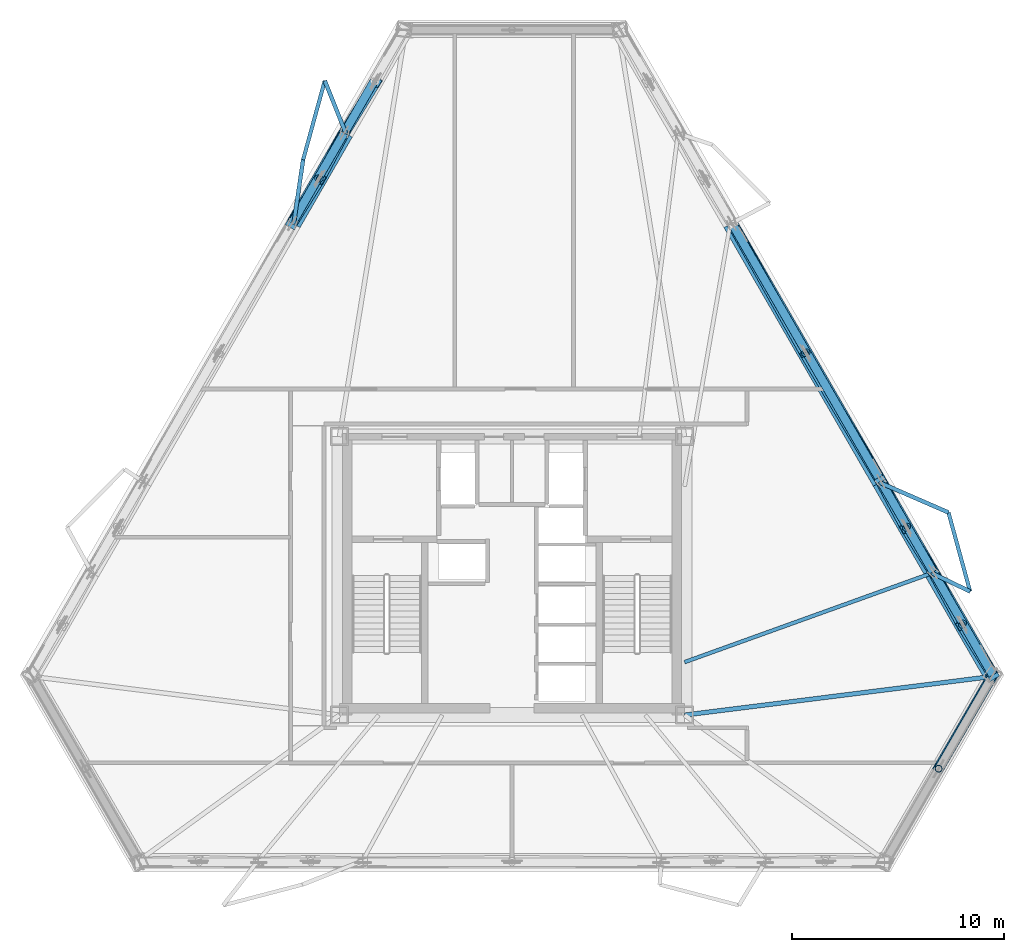
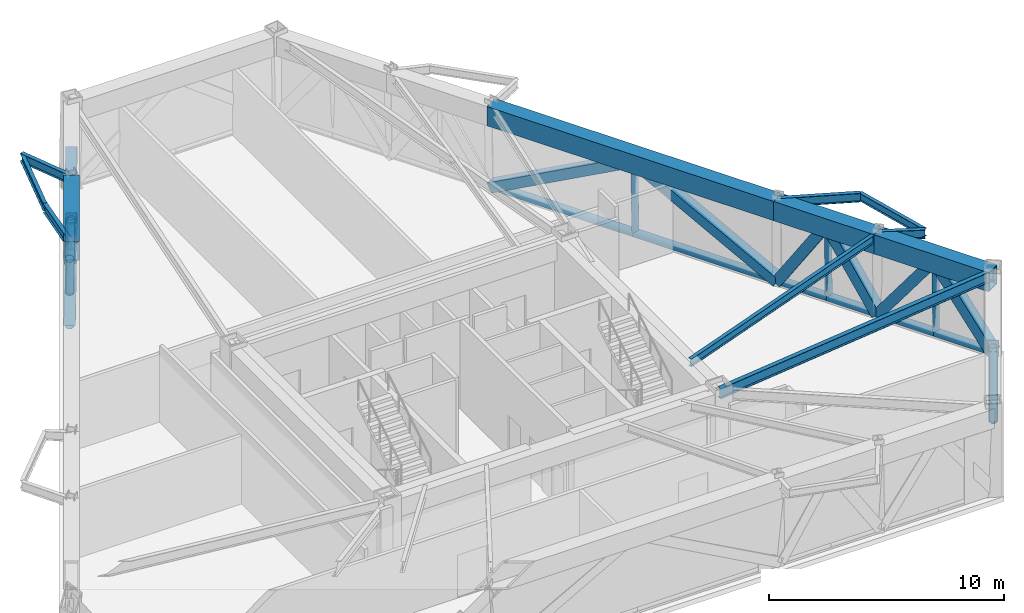
# One storey, part 4 of 11: 25 members, 12 beams.
"""IFC4 building model written with IfcOpenShell, lengths in metres."""

from ifc_helpers import new_model, si_unit, direction, frame, origin, origin_2d, place, context, subcontext, project, spatial, hollow_rectangle, hollow_circle, i_section, extrude, material, material_profile, profile_set, type_object, element, save


model = new_model("IFC4")

# Units and contexts
model_context = context("Model", 3, precision=1e-05, world=origin(), true_north=direction((0.0, 1.0)))
body_context = subcontext(model_context, "Body", "Model", "MODEL_VIEW")
ifc_project = project(units=[si_unit("LENGTHUNIT", "METRE"), si_unit("AREAUNIT", "SQUARE_METRE"), si_unit("VOLUMEUNIT", "CUBIC_METRE"), si_unit("PLANEANGLEUNIT", "RADIAN"), si_unit("MASSUNIT", "GRAM", prefix="KILO")], contexts=[model_context])

# Site, building, storey
site_placement = place(None, origin())
site = spatial("IfcSite", under=ifc_project, at=site_placement, CompositionType="ELEMENT")
building_placement = place(site_placement, origin())
building = spatial("IfcBuilding", under=site, at=building_placement, Name="Oramaril Tower", CompositionType="ELEMENT")
storey_placement = place(building_placement, frame((0.0, 0.0, 133.800048828125)))
storey = spatial("IfcBuildingStorey", under=building, at=storey_placement, Name="L35", CompositionType="ELEMENT", Elevation=133.800048828125)

# Beams
ifc_material_1 = material(Name="Steel ASTM A572 Gr 50", Category="steel")
ifc_material_profile_1 = material_profile(ifc_material_1, i_section(OverallWidth=0.19091796875, OverallDepth=0.45703125, WebThickness=0.009033203125, FlangeThickness=0.014404296875, at=origin_2d()), Name="W18X50")
ifc_profile_set_1 = profile_set([ifc_material_profile_1], Name="Steel ASTM A572 Gr 50")
beam_type_1 = type_object("IfcBeamType", Name="BT-BB1", PredefinedType="BEAM", material=ifc_profile_set_1)
beam_1_placement = place(storey_placement, frame((57.33349609375, 17.706298828125, 4.33154296875), z_axis=(0.900865739978, -0.434097821388, 0.0), x_axis=(0.434097821388, 0.900865739978, 0.0)))
element("IfcBeam", 1, at=beam_1_placement, inside=storey, type_object=beam_type_1, Name="L35 Balcony Column-Framed Cantilever 03.1", PredefinedType="BEAM", context=body_context, shape_type="SweptSolid", body=[
    extrude(i_section(OverallWidth=0.19091796875, OverallDepth=0.45703125, WebThickness=0.009033203125, FlangeThickness=0.014404296875, at=origin_2d()), origin(), (0.0, 0.0, 1.0), 2.002685546875),
])
beam_2_placement = place(storey_placement, frame((54.864990234375, 21.981689453125, 4.33154296875), z_axis=(0.917119345016, -0.398612728093, 0.0), x_axis=(0.398612728093, 0.917119345016, 0.0)))
element("IfcBeam", 2, at=beam_2_placement, inside=storey, type_object=beam_type_1, Name="L35 Balcony Column-Framed Cantilever 03.2", PredefinedType="BEAM", context=body_context, shape_type="SweptSolid", body=[
    extrude(i_section(OverallWidth=0.19091796875, OverallDepth=0.45703125, WebThickness=0.009033203125, FlangeThickness=0.014404296875, at=origin_2d()), origin(), (0.0, 0.0, 1.0), 3.543212890625),
])
beam_3_placement = place(storey_placement, frame((29.656494140625, 38.47314453125, 4.33154296875), z_axis=(-0.372505591211, 0.928029948071, 0.0), x_axis=(-0.928029948071, -0.372505591211, 0.0)))
element("IfcBeam", 3, at=beam_3_placement, inside=storey, type_object=beam_type_1, Name="L35 Balcony Column-Framed Cantilever 05.1", PredefinedType="BEAM", context=body_context, shape_type="SweptSolid", body=[
    extrude(i_section(OverallWidth=0.19091796875, OverallDepth=0.45703125, WebThickness=0.009033203125, FlangeThickness=0.014404296875, at=origin_2d()), origin(), (0.0, 0.0, 1.0), 2.679931640625),
])
beam_4_placement = place(storey_placement, frame((27.18798828125, 34.197509765625, 4.33154296875), z_axis=(0.145939133753, 0.989293570807, 0.0), x_axis=(-0.989293570807, 0.145939133753, 0.0)))
element("IfcBeam", 4, at=beam_4_placement, inside=storey, type_object=beam_type_1, Name="L35 Balcony Column-Framed Cantilever 05.2", PredefinedType="BEAM", context=body_context, shape_type="SweptSolid", body=[
    extrude(i_section(OverallWidth=0.19091796875, OverallDepth=0.45703125, WebThickness=0.009033203125, FlangeThickness=0.014404296875, at=origin_2d()), origin(), (0.0, 0.0, 1.0), 3.06298828125),
])
ifc_material_2 = material(Name="Steel ASTM A572 Gr 50", Category="steel")
ifc_material_profile_2 = material_profile(ifc_material_2, hollow_rectangle(XDim=0.699951171875, YDim=1.0, WallThickness=0.06494140625, at=origin_2d()), Name="BOX1000X700X65")
ifc_profile_set_2 = profile_set([ifc_material_profile_2], Name="Steel ASTM A572 Gr 50")
beam_type_2 = type_object("IfcBeamType", Name="BT-BT1", PredefinedType="BEAM", material=ifc_profile_set_2)
beam_5_placement = place(storey_placement, frame((60.154541015625, 12.81982421875, 4.06005859375), z_axis=(-0.499978398512, 0.86603787505, 0.0), x_axis=(-0.86603787505, -0.499978398512, 0.0)))
element("IfcBeam", 5, at=beam_5_placement, inside=storey, type_object=beam_type_2, Name="L35 Perimeter Spandrel 08", PredefinedType="BEAM", context=body_context, shape_type="SweptSolid", body=[
    extrude(hollow_rectangle(XDim=0.699951171875, YDim=1.0, WallThickness=0.06494140625, at=origin_2d()), origin(), (0.0, 0.0, 1.0), 5.642333984375),
])
beam_6_placement = place(storey_placement, frame((57.33349609375, 17.706298828125, 4.06005859375), z_axis=(-0.500016396673, 0.866015936954, 0.0), x_axis=(-0.866015936954, -0.500016396673, 0.0)))
element("IfcBeam", 6, at=beam_6_placement, inside=storey, type_object=beam_type_2, Name="L35 Perimeter Spandrel 09", PredefinedType="BEAM", context=body_context, shape_type="SweptSolid", body=[
    extrude(hollow_rectangle(XDim=0.699951171875, YDim=1.0, WallThickness=0.06494140625, at=origin_2d()), origin(), (0.0, 0.0, 1.0), 4.936767578125),
])
beam_7_placement = place(storey_placement, frame((54.864990234375, 21.981689453125, 4.06005859375), z_axis=(-0.500009111705, 0.866020143075, 0.0), x_axis=(-0.866020143075, -0.500009111705, 0.0)))
element("IfcBeam", 7, at=beam_7_placement, inside=storey, type_object=beam_type_2, Name="L35 Perimeter Spandrel 10", PredefinedType="BEAM", context=body_context, shape_type="SweptSolid", body=[
    extrude(hollow_rectangle(XDim=0.699951171875, YDim=1.0, WallThickness=0.06494140625, at=origin_2d()), origin(), (0.0, 0.0, 1.0), 14.105712890625),
])
beam_8_placement = place(storey_placement, frame((29.656494140625, 38.47314453125, 4.06005859375), z_axis=(-0.499994983316, -0.866028300149, 0.0), x_axis=(0.866028300149, -0.499994983316, 0.0)))
element("IfcBeam", 8, at=beam_8_placement, inside=storey, type_object=beam_type_2, Name="L35 Perimeter Spandrel 15", PredefinedType="BEAM", context=body_context, shape_type="SweptSolid", body=[
    extrude(hollow_rectangle(XDim=0.699951171875, YDim=1.0, WallThickness=0.06494140625, at=origin_2d()), origin(), (0.0, 0.0, 1.0), 4.93701171875),
])
ifc_material_3 = material(Name="Steel ASTM A572 Gr 50", Category="steel")
ifc_material_profile_3 = material_profile(ifc_material_3, i_section(OverallWidth=0.2099609375, OverallDepth=0.535888671875, WebThickness=0.010986328125, FlangeThickness=0.017333984375, at=origin_2d()), Name="W21X68")
ifc_profile_set_3 = profile_set([ifc_material_profile_3], Name="Steel ASTM A572 Gr 50")
beam_type_3 = type_object("IfcBeamType", Name="BT-FB2", PredefinedType="BEAM", material=ifc_profile_set_3)
beam_9_placement = place(storey_placement, frame((45.64990234375, 11.0, 4.2919921875), z_axis=(0.992220989453, 0.12448898782, 0.0), x_axis=(-0.12448898782, 0.992220989453, 0.0)))
element("IfcBeam", 9, at=beam_9_placement, inside=storey, type_object=beam_type_3, Name="L35 Radial Primary Beam RB-04", PredefinedType="BEAM", context=body_context, shape_type="SweptSolid", body=[
    extrude(i_section(OverallWidth=0.2099609375, OverallDepth=0.535888671875, WebThickness=0.010986328125, FlangeThickness=0.017333984375, at=origin_2d()), origin(), (0.0, 0.0, 1.0), 14.618408203125),
])
ifc_material_4 = material(Name="Steel ASTM A572 Gr 50", Category="steel")
ifc_material_profile_4 = material_profile(ifc_material_4, i_section(OverallWidth=0.177978515625, OverallDepth=0.404052734375, WebThickness=0.007568359375, FlangeThickness=0.010986328125, at=origin_2d()), Name="W16X36")
ifc_profile_set_4 = profile_set([ifc_material_profile_4], Name="Steel ASTM A572 Gr 50")
beam_type_4 = type_object("IfcBeamType", Name="BT-SB1", PredefinedType="BEAM", material=ifc_profile_set_4)
beam_10_placement = place(storey_placement, frame((45.64990234375, 13.5, 4.35791015625), z_axis=(0.940882148482, 0.338734088436, 0.0), x_axis=(-0.338734088436, 0.940882148482, 0.0)))
element("IfcBeam", 10, at=beam_10_placement, inside=storey, type_object=beam_type_4, Name="L35 Secondary Floor Beam SB-05", PredefinedType="BEAM", context=body_context, shape_type="SweptSolid", body=[
    extrude(i_section(OverallWidth=0.177978515625, OverallDepth=0.404052734375, WebThickness=0.007568359375, FlangeThickness=0.010986328125, at=origin_2d()), origin(), (0.0, 0.0, 1.0), 12.417724609375),
])
for number, where, z_axis, x_axis, name in (
    (11, (59.1376953125, 16.8369140625, 4.35791015625), (-0.264382243015, 0.964417974521, 0.0), (-0.964417974521, -0.264382243015, 0.0), "L35 Balcony Edge Tie Beam 03"),
    (12, (28.658203125, 40.960205078125, 4.35791015625), (-0.264382243015, -0.964417974521, 0.0), (0.964417974521, -0.264382243015, 0.0), "L35 Balcony Edge Tie Beam 05"),
):
    element("IfcBeam", number, at=place(storey_placement, frame(where, z_axis=z_axis, x_axis=x_axis)), inside=storey, type_object=beam_type_4, Name=name, PredefinedType="BEAM", context=body_context, shape_type="SweptSolid", body=[
        extrude(i_section(OverallWidth=0.177978515625, OverallDepth=0.404052734375, WebThickness=0.007568359375, FlangeThickness=0.010986328125, at=origin_2d()), origin(), (0.0, 0.0, 1.0), 3.8701171875),
    ])

# Members
ifc_material_5 = material(Name="Steel ASTM A572 Gr 50", Category="steel")
ifc_material_profile_5 = material_profile(ifc_material_5, hollow_circle(Radius=0.202880859375, WallThickness=0.01611328125, at=origin_2d()), Name="CHS406X16")
ifc_profile_set_5 = profile_set([ifc_material_profile_5], Name="Steel ASTM A572 Gr 50")
member_type_1 = type_object("IfcMemberType", Name="MT-CH1", PredefinedType="CHORD", material=ifc_profile_set_5)
member_1_placement = place(storey_placement, frame((57.6513671875, 8.465576171875, 0.2099609375), z_axis=(0.500003717096, 0.866023257707, 0.0), x_axis=(-0.866023257707, 0.500003717096, 0.0)))
element("IfcMember", 13, at=member_1_placement, inside=storey, type_object=member_type_1, Name="L35 Belt Truss Chord 07B", PredefinedType="CHORD", context=body_context, shape_type="SweptSolid", body=[
    extrude(hollow_circle(Radius=0.202880859375, WallThickness=0.01611328125, at=origin_2d()), origin(), (0.0, 0.0, 1.0), 5.109375),
])
member_2_placement = place(storey_placement, frame((60.2060546875, 12.890380859375, 0.2099609375), z_axis=(-0.500000186108, 0.866025296335, 0.0), x_axis=(-0.866025296335, -0.500000186108, 0.0)))
element("IfcMember", 14, at=member_2_placement, inside=storey, type_object=member_type_1, Name="L35 Belt Truss Chord 08A", PredefinedType="CHORD", context=body_context, shape_type="SweptSolid", body=[
    extrude(hollow_circle(Radius=0.202880859375, WallThickness=0.01611328125, at=origin_2d()), origin(), (0.0, 0.0, 1.0), 2.8154296875),
])
member_3_placement = place(storey_placement, frame((58.79833984375, 15.32861328125, 0.2099609375), z_axis=(-0.49996263964, 0.866046972724, 0.0), x_axis=(-0.866046972724, -0.49996263964, 0.0)))
element("IfcMember", 15, at=member_3_placement, inside=storey, type_object=member_type_1, Name="L35 Belt Truss Chord 08B", PredefinedType="CHORD", context=body_context, shape_type="SweptSolid", body=[
    extrude(hollow_circle(Radius=0.202880859375, WallThickness=0.01611328125, at=origin_2d()), origin(), (0.0, 0.0, 1.0), 2.815673828125),
])
member_4_placement = place(storey_placement, frame((57.390625, 17.76708984375, 0.2099609375), z_axis=(-0.500008425378, 0.866020539336, 0.0), x_axis=(-0.866020539336, -0.500008425378, 0.0)))
element("IfcMember", 16, at=member_4_placement, inside=storey, type_object=member_type_1, Name="L35 Belt Truss Chord 09A", PredefinedType="CHORD", context=body_context, shape_type="SweptSolid", body=[
    extrude(hollow_circle(Radius=0.202880859375, WallThickness=0.01611328125, at=origin_2d()), origin(), (0.0, 0.0, 1.0), 2.46337890625),
])
member_5_placement = place(storey_placement, frame((56.158935546875, 19.900390625, 0.2099609375), z_axis=(-0.500039835994, 0.866002403241, 0.0), x_axis=(-0.866002403241, -0.500039835994, 0.0)))
element("IfcMember", 17, at=member_5_placement, inside=storey, type_object=member_type_1, Name="L35 Belt Truss Chord 09B", PredefinedType="CHORD", context=body_context, shape_type="SweptSolid", body=[
    extrude(hollow_circle(Radius=0.202880859375, WallThickness=0.01611328125, at=origin_2d()), origin(), (0.0, 0.0, 1.0), 2.463623046875),
])
for number, where, z_axis, x_axis, name in (
    (18, (54.927001953125, 22.033935546875, 0.2099609375), (-0.499992676439, 0.866029632003, 0.0), (-0.866029632003, -0.499992676439, 0.0), "L35 Belt Truss Chord 10A"),
    (19, (51.40771484375, 28.129638671875, 0.2099609375), (-0.499992676439, 0.866029632003, 0.0), (-0.866029632003, -0.499992676439, 0.0), "L35 Belt Truss Chord 10B"),
):
    element("IfcMember", number, at=place(storey_placement, frame(where, z_axis=z_axis, x_axis=x_axis)), inside=storey, type_object=member_type_1, Name=name, PredefinedType="CHORD", context=body_context, shape_type="SweptSolid", body=[
        extrude(hollow_circle(Radius=0.202880859375, WallThickness=0.01611328125, at=origin_2d()), origin(), (0.0, 0.0, 1.0), 7.03857421875),
    ])
member_6_placement = place(storey_placement, frame((30.98291015625, 40.930419921875, 0.2099609375), z_axis=(-0.500000186108, -0.866025296335, 0.0), x_axis=(0.866025296335, -0.500000186108, 0.0)))
element("IfcMember", 20, at=member_6_placement, inside=storey, type_object=member_type_1, Name="L35 Belt Truss Chord 14B", PredefinedType="CHORD", context=body_context, shape_type="SweptSolid", body=[
    extrude(hollow_circle(Radius=0.202880859375, WallThickness=0.01611328125, at=origin_2d()), origin(), (0.0, 0.0, 1.0), 2.8154296875),
])
member_7_placement = place(storey_placement, frame((29.5751953125, 38.4921875, 0.2099609375), z_axis=(-0.500008425378, -0.866020539336, 0.0), x_axis=(0.866020539336, -0.500008425378, 0.0)))
element("IfcMember", 21, at=member_7_placement, inside=storey, type_object=member_type_1, Name="L35 Belt Truss Chord 15A", PredefinedType="CHORD", context=body_context, shape_type="SweptSolid", body=[
    extrude(hollow_circle(Radius=0.202880859375, WallThickness=0.01611328125, at=origin_2d()), origin(), (0.0, 0.0, 1.0), 2.46337890625),
])
member_8_placement = place(storey_placement, frame((28.343505859375, 36.35888671875, 0.2099609375), z_axis=(-0.500039835994, -0.866002403241, 0.0), x_axis=(0.866002403241, -0.500039835994, 0.0)))
element("IfcMember", 22, at=member_8_placement, inside=storey, type_object=member_type_1, Name="L35 Belt Truss Chord 15B", PredefinedType="CHORD", context=body_context, shape_type="SweptSolid", body=[
    extrude(hollow_circle(Radius=0.202880859375, WallThickness=0.01611328125, at=origin_2d()), origin(), (0.0, 0.0, 1.0), 2.463623046875),
])
ifc_material_6 = material(Name="Steel ASTM A572 Gr 50", Category="steel")
ifc_material_profile_6 = material_profile(ifc_material_6, hollow_circle(Radius=0.162109375, WallThickness=0.011962890625, at=origin_2d()), Name="CHS324X12")
ifc_profile_set_6 = profile_set([ifc_material_profile_6], Name="Steel ASTM A572 Gr 50")
member_type_2 = type_object("IfcMemberType", Name="MT-ST1", PredefinedType="STRUT", material=ifc_profile_set_6)
member_9_placement = place(storey_placement, frame((57.6513671875, 8.465576171875, 0.2099609375), z_axis=(-0.002092574749, 0.001204815765, 0.999997084771), x_axis=(-0.498964444867, -0.866622456874, 0.0)))
element("IfcMember", 23, at=member_9_placement, inside=storey, type_object=member_type_2, Name="L35 Belt Truss Strut 07", PredefinedType="STRUT", context=body_context, shape_type="SweptSolid", body=[
    extrude(hollow_circle(Radius=0.162109375, WallThickness=0.011962890625, at=origin_2d()), origin(), (0.0, 0.0, 1.0), 3.85009765625),
])
for number, where, z_axis, x_axis, name in (
    (24, (58.79833984375, 15.32861328125, 0.2099609375), (-0.014137303856, -0.017053519001, 0.999754626961), (0.769860846937, -0.638211780175, 0.0), "L35 Belt Truss Strut 08"),
    (25, (56.158935546875, 19.900390625, 0.2099609375), (-0.015532287124, -0.014644727859, 0.999772114035), (0.686012868689, -0.727589406185, 0.0), "L35 Belt Truss Strut 09"),
):
    element("IfcMember", number, at=place(storey_placement, frame(where, z_axis=z_axis, x_axis=x_axis)), inside=storey, type_object=member_type_2, Name=name, PredefinedType="STRUT", context=body_context, shape_type="SweptSolid", body=[
        extrude(hollow_circle(Radius=0.162109375, WallThickness=0.011962890625, at=origin_2d()), origin(), (0.0, 0.0, 1.0), 3.85107421875),
    ])
member_10_placement = place(storey_placement, frame((51.40771484375, 28.129638671875, 0.2099609375), z_axis=(-0.018004984737, -0.010397244707, 0.99978383555), x_axis=(0.500074377092, -0.865982457891, 0.0)))
element("IfcMember", 26, at=member_10_placement, inside=storey, type_object=member_type_2, Name="L35 Belt Truss Strut 10", PredefinedType="STRUT", context=body_context, shape_type="SweptSolid", body=[
    extrude(hollow_circle(Radius=0.162109375, WallThickness=0.011962890625, at=origin_2d()), origin(), (0.0, 0.0, 1.0), 3.850830078125),
])
member_11_placement = place(storey_placement, frame((28.343505859375, 36.35888671875, 0.2099609375), z_axis=(0.020413883014, -0.006086126613, 0.999773090478), x_axis=(0.2857092243, 0.958316356507, 0.0)))
element("IfcMember", 27, at=member_11_placement, inside=storey, type_object=member_type_2, Name="L35 Belt Truss Strut 15", PredefinedType="STRUT", context=body_context, shape_type="SweptSolid", body=[
    extrude(hollow_circle(Radius=0.162109375, WallThickness=0.011962890625, at=origin_2d()), origin(), (0.0, 0.0, 1.0), 3.85107421875),
])
ifc_material_7 = material(Name="Steel ASTM A572 Gr 50", Category="steel")
ifc_material_profile_7 = material_profile(ifc_material_7, hollow_rectangle(XDim=0.5, YDim=0.5, WallThickness=0.02490234375, at=origin_2d()), Name="HSS500X500X25")
ifc_profile_set_7 = profile_set([ifc_material_profile_7], Name="Steel ASTM A572 Gr 50")
member_type_3 = type_object("IfcMemberType", Name="MT-TD1", PredefinedType="BRACE", material=ifc_profile_set_7)
member_12_placement = place(storey_placement, frame((60.2060546875, 12.890380859375, 0.2099609375), z_axis=(-0.400581478276, -0.690914324492, 0.601807174661), x_axis=(0.865112055942, -0.501578638565, 0.0)))
element("IfcMember", 28, at=member_12_placement, inside=storey, type_object=member_type_3, Name="L35 Truss Diagonal 07B", PredefinedType="BRACE", context=body_context, shape_type="SweptSolid", body=[
    extrude(hollow_rectangle(XDim=0.5, YDim=0.5, WallThickness=0.02490234375, at=origin_2d()), origin(), (0.0, 0.0, 1.0), 6.3974609375),
])
member_13_placement = place(storey_placement, frame((60.2060546875, 12.890380859375, 0.2099609375), z_axis=(-0.307634044928, 0.499179771015, 0.810049906247), x_axis=(-0.851318256089, -0.524649622939, 0.0)))
element("IfcMember", 29, at=member_13_placement, inside=storey, type_object=member_type_3, Name="L35 Truss Diagonal 08A", PredefinedType="BRACE", context=body_context, shape_type="SweptSolid", body=[
    extrude(hollow_rectangle(XDim=0.5, YDim=0.5, WallThickness=0.02490234375, at=origin_2d()), origin(), (0.0, 0.0, 1.0), 4.7529296875),
])
member_14_placement = place(storey_placement, frame((57.390625, 17.76708984375, 0.2099609375), z_axis=(0.282635560357, -0.523000711273, 0.804106582506), x_axis=(0.879754025105, 0.475429127538, 0.0)))
element("IfcMember", 30, at=member_14_placement, inside=storey, type_object=member_type_3, Name="L35 Truss Diagonal 08B", PredefinedType="BRACE", context=body_context, shape_type="SweptSolid", body=[
    extrude(hollow_rectangle(XDim=0.5, YDim=0.5, WallThickness=0.02490234375, at=origin_2d()), origin(), (0.0, 0.0, 1.0), 4.7880859375),
])
member_15_placement = place(storey_placement, frame((57.390625, 17.76708984375, 0.2099609375), z_axis=(-0.283148528406, 0.455339230842, 0.844093061053), x_axis=(-0.849201847595, -0.528068387655, 0.0)))
element("IfcMember", 31, at=member_15_placement, inside=storey, type_object=member_type_3, Name="L35 Truss Diagonal 09A", PredefinedType="BRACE", context=body_context, shape_type="SweptSolid", body=[
    extrude(hollow_rectangle(XDim=0.5, YDim=0.5, WallThickness=0.02490234375, at=origin_2d()), origin(), (0.0, 0.0, 1.0), 4.561279296875),
])
member_16_placement = place(storey_placement, frame((54.927001953125, 22.033935546875, 0.2099609375), z_axis=(0.255820258411, -0.477964531962, 0.840301077931), x_axis=(0.88165817289, 0.471888616282, 0.0)))
element("IfcMember", 32, at=member_16_placement, inside=storey, type_object=member_type_3, Name="L35 Truss Diagonal 09B", PredefinedType="BRACE", context=body_context, shape_type="SweptSolid", body=[
    extrude(hollow_rectangle(XDim=0.5, YDim=0.5, WallThickness=0.02490234375, at=origin_2d()), origin(), (0.0, 0.0, 1.0), 4.581787109375),
])
for number, where, z_axis, x_axis, name in (
    (33, (54.927001953125, 22.033935546875, 0.2099609375), (-0.44727800004, 0.754764508674, 0.479867614167), (-0.860286463129, -0.509810946683, 0.0), "L35 Truss Diagonal 10A"),
    (34, (47.888427734375, 34.225341796875, 0.2099609375), (0.429993535479, -0.76474400493, 0.479866821492), (0.871660739904, 0.490109737211, 0.0), "L35 Truss Diagonal 10B"),
):
    element("IfcMember", number, at=place(storey_placement, frame(where, z_axis=z_axis, x_axis=x_axis)), inside=storey, type_object=member_type_3, Name=name, PredefinedType="BRACE", context=body_context, shape_type="SweptSolid", body=[
        extrude(hollow_rectangle(XDim=0.5, YDim=0.5, WallThickness=0.02490234375, at=origin_2d()), origin(), (0.0, 0.0, 1.0), 8.023193359375),
    ])
member_17_placement = place(storey_placement, frame((29.5751953125, 38.4921875, 0.2099609375), z_axis=(0.311598296612, 0.506277121104, 0.804108188116), x_axis=(-0.851625920665, 0.524150065584, 0.0)))
element("IfcMember", 35, at=member_17_placement, inside=storey, type_object=member_type_3, Name="L35 Truss Diagonal 14B", PredefinedType="BRACE", context=body_context, shape_type="SweptSolid", body=[
    extrude(hollow_rectangle(XDim=0.5, YDim=0.5, WallThickness=0.02490234375, at=origin_2d()), origin(), (0.0, 0.0, 1.0), 4.7880859375),
])
member_18_placement = place(storey_placement, frame((29.5751953125, 38.4921875, 0.2099609375), z_axis=(-0.252802202076, -0.47284663416, 0.844101360732), x_axis=(0.881874420154, -0.471484365677, 0.0)))
element("IfcMember", 36, at=member_18_placement, inside=storey, type_object=member_type_3, Name="L35 Truss Diagonal 15A", PredefinedType="BRACE", context=body_context, shape_type="SweptSolid", body=[
    extrude(hollow_rectangle(XDim=0.5, YDim=0.5, WallThickness=0.02490234375, at=origin_2d()), origin(), (0.0, 0.0, 1.0), 4.561279296875),
])
member_19_placement = place(storey_placement, frame((27.111572265625, 34.225341796875, 0.2099609375), z_axis=(0.28603014478, 0.460536240934, 0.840293476747), x_axis=(-0.849491310385, 0.527602609528, 0.0)))
element("IfcMember", 37, at=member_19_placement, inside=storey, type_object=member_type_3, Name="L35 Truss Diagonal 15B", PredefinedType="BRACE", context=body_context, shape_type="SweptSolid", body=[
    extrude(hollow_rectangle(XDim=0.5, YDim=0.5, WallThickness=0.02490234375, at=origin_2d()), origin(), (0.0, 0.0, 1.0), 4.581787109375),
])

save(model, "model.ifc")
